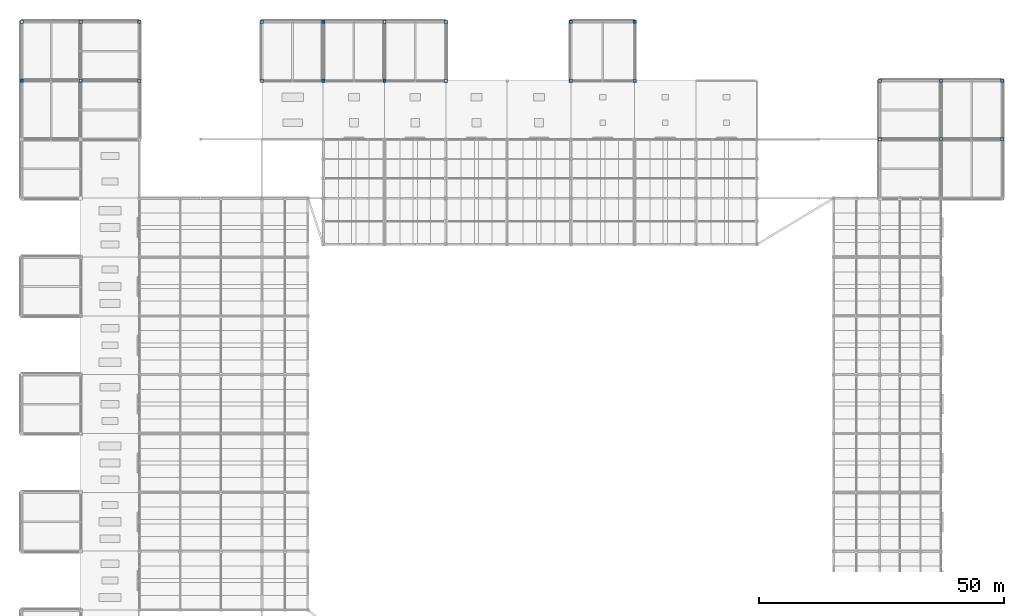
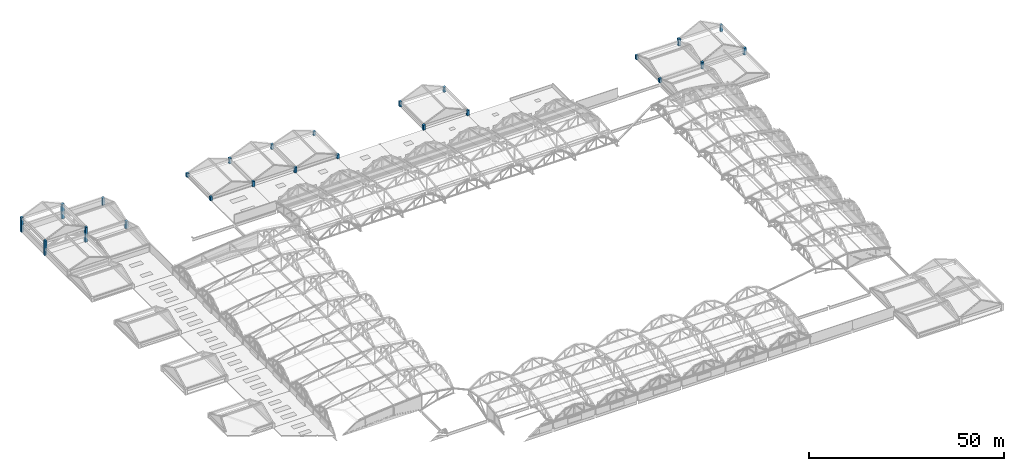
# One storey, part 2 of 117: 24 columns.
"""IFC4 building model written with IfcOpenShell, lengths in metres."""

from ifc_helpers import new_model, si_unit, direction, frame, origin, origin_2d, place, context, subcontext, project, spatial, rectangle, extrude, material, material_profile, profile_set, type_object, element, save


model = new_model("IFC4")

# Units and contexts
model_context = context("Model", 3, precision=1e-05, world=origin(), true_north=direction((0.0, 1.0)))
body_context = subcontext(model_context, "Body", "Model", "MODEL_VIEW")
ifc_project = project(units=[si_unit("LENGTHUNIT", "METRE"), si_unit("AREAUNIT", "SQUARE_METRE"), si_unit("VOLUMEUNIT", "CUBIC_METRE"), si_unit("PLANEANGLEUNIT", "RADIAN"), si_unit("MASSUNIT", "GRAM", prefix="KILO")], contexts=[model_context])

# Site, building, storey
site_placement = place(None, origin())
site = spatial("IfcSite", under=ifc_project, at=site_placement, CompositionType="ELEMENT")
building_placement = place(site_placement, origin())
building = spatial("IfcBuilding", under=site, at=building_placement, Name="Kazenohara Klinker Stadium", CompositionType="ELEMENT")
storey_placement = place(building_placement, frame((0.0, 0.0, 31.199951171875)))
storey = spatial("IfcBuildingStorey", under=building, at=storey_placement, Name="RF", CompositionType="ELEMENT", Elevation=31.199951171875)

# Columns
ifc_material = material(Name="Concrete C40/50", Category="concrete")
ifc_material_profile = material_profile(ifc_material, rectangle(XDim=0.699951171875, YDim=0.699951171875, at=origin_2d()), Name="RC-COL-700x700")
ifc_profile_set = profile_set([ifc_material_profile], Name="Concrete C40/50")
column_type = type_object("IfcColumnType", Name="COL-RC06", PredefinedType="COLUMN", material=ifc_profile_set)
for number, where, z_axis, x_axis, name in (
    (1, (0.0, 156.0, 0.0), (0.0, 0.0, 1.0), (1.0, 0.0, 0.0), "Turret crown column C06 RF 1/P"),
    (2, (12.0, 156.0, 0.0), (0.0, 0.0, 1.0), (1.0, 0.0, 0.0), "Turret crown column C06 RF 2/P"),
    (3, (0.0, 168.0, 0.0), (0.0, 0.0, 1.0), (1.0, 0.0, 0.0), "Turret crown column C06 RF 1/Q"),
    (4, (12.0, 168.0, 0.0), (0.0, 0.0, 1.0), (1.0, 0.0, 0.0), "Turret crown column C06 RF 2/Q"),
):
    element("IfcColumn", number, at=place(storey_placement, frame(where, z_axis=z_axis, x_axis=x_axis)), inside=storey, type_object=column_type, Name=name, PredefinedType="COLUMN", context=body_context, shape_type="SweptSolid", body=[
        extrude(rectangle(XDim=0.699951171875, YDim=0.699951171875, at=origin_2d()), origin(), (0.0, 0.0, 1.0), 4.60009765625),
    ])
for number, where, z_axis, x_axis, name in (
    (5, (24.0, 156.0, 0.0), (0.0, 0.0, 1.0), (1.0, 0.0, 0.0), "Turret crown column C06 RF 3/P"),
    (6, (24.0, 168.0, 0.0), (0.0, 0.0, 1.0), (1.0, 0.0, 0.0), "Turret crown column C06 RF 3/Q"),
):
    element("IfcColumn", number, at=place(storey_placement, frame(where, z_axis=z_axis, x_axis=x_axis)), inside=storey, type_object=column_type, Name=name, PredefinedType="COLUMN", context=body_context, shape_type="SweptSolid", body=[
        extrude(rectangle(XDim=0.699951171875, YDim=0.699951171875, at=origin_2d()), origin(), (0.0, 0.0, 1.0), 2.300048828125),
    ])
for number, where, z_axis, x_axis, name in (
    (7, (187.5, 144.0, 0.0), (0.0, 0.0, 1.0), (1.0, 0.0, 0.0), "Turret crown column C06 RF 16/N"),
    (8, (187.5, 156.0, 0.0), (0.0, 0.0, 1.0), (1.0, 0.0, 0.0), "Turret crown column C06 RF 16/P"),
    (9, (200.0, 144.0, 0.0), (0.0, 0.0, 1.0), (1.0, 0.0, 0.0), "Turret crown column C06 RF 17/N"),
    (10, (200.0, 156.0, 0.0), (0.0, 0.0, 1.0), (1.0, 0.0, 0.0), "Turret crown column C06 RF 17/P"),
):
    element("IfcColumn", number, at=place(storey_placement, frame(where, z_axis=z_axis, x_axis=x_axis)), inside=storey, type_object=column_type, Name=name, PredefinedType="COLUMN", context=body_context, shape_type="SweptSolid", body=[
        extrude(rectangle(XDim=0.699951171875, YDim=0.699951171875, at=origin_2d()), origin(), (0.0, 0.0, 1.0), 2.10009765625),
    ])
for number, where, z_axis, x_axis, name in (
    (11, (175.0, 144.0, 0.0), (0.0, 0.0, 1.0), (1.0, 0.0, 0.0), "Turret crown column C06 RF 15/N"),
    (12, (175.0, 156.0, 0.0), (0.0, 0.0, 1.0), (1.0, 0.0, 0.0), "Turret crown column C06 RF 15/P"),
):
    element("IfcColumn", number, at=place(storey_placement, frame(where, z_axis=z_axis, x_axis=x_axis)), inside=storey, type_object=column_type, Name=name, PredefinedType="COLUMN", context=body_context, shape_type="SweptSolid", body=[
        extrude(rectangle(XDim=0.699951171875, YDim=0.699951171875, at=origin_2d()), origin(), (0.0, 0.0, 1.0), 1.300048828125),
    ])
for number, where, z_axis, x_axis, name in (
    (13, (49.0, 156.0, 0.0), (0.0, 0.0, 1.0), (1.0, 0.0, 0.0), "Turret crown column C06 RF 5/P"),
    (14, (49.0, 168.0, 0.0), (0.0, 0.0, 1.0), (1.0, 0.0, 0.0), "Turret crown column C06 RF 5/Q"),
):
    element("IfcColumn", number, at=place(storey_placement, frame(where, z_axis=z_axis, x_axis=x_axis)), inside=storey, type_object=column_type, Name=name, PredefinedType="COLUMN", context=body_context, shape_type="SweptSolid", body=[
        extrude(rectangle(XDim=0.699951171875, YDim=0.699951171875, at=origin_2d()), origin(), (0.0, 0.0, 1.0), 1.199951171875),
    ])
for number, where, z_axis, x_axis, name in (
    (15, (61.5, 156.0, 0.0), (0.0, 0.0, 1.0), (1.0, 0.0, 0.0), "Turret crown column C06 RF 6/P"),
    (16, (61.5, 168.0, 0.0), (0.0, 0.0, 1.0), (1.0, 0.0, 0.0), "Turret crown column C06 RF 6/Q"),
    (17, (74.0, 156.0, 0.0), (0.0, 0.0, 1.0), (1.0, 0.0, 0.0), "Turret crown column C06 RF 7/P"),
    (18, (74.0, 168.0, 0.0), (0.0, 0.0, 1.0), (1.0, 0.0, 0.0), "Turret crown column C06 RF 7/Q"),
):
    element("IfcColumn", number, at=place(storey_placement, frame(where, z_axis=z_axis, x_axis=x_axis)), inside=storey, type_object=column_type, Name=name, PredefinedType="COLUMN", context=body_context, shape_type="SweptSolid", body=[
        extrude(rectangle(XDim=0.699951171875, YDim=0.699951171875, at=origin_2d()), origin(), (0.0, 0.0, 1.0), 1.60009765625),
    ])
for number, where, z_axis, x_axis, name in (
    (19, (86.5, 156.0, 0.0), (0.0, 0.0, 1.0), (1.0, 0.0, 0.0), "Turret crown column C06 RF 8/P"),
    (20, (86.5, 168.0, 0.0), (0.0, 0.0, 1.0), (1.0, 0.0, 0.0), "Turret crown column C06 RF 8/Q"),
):
    element("IfcColumn", number, at=place(storey_placement, frame(where, z_axis=z_axis, x_axis=x_axis)), inside=storey, type_object=column_type, Name=name, PredefinedType="COLUMN", context=body_context, shape_type="SweptSolid", body=[
        extrude(rectangle(XDim=0.699951171875, YDim=0.699951171875, at=origin_2d()), origin(), (0.0, 0.0, 1.0), 1.199951171875),
    ])
for number, where, z_axis, x_axis, name in (
    (21, (112.0, 156.0, 0.0), (0.0, 0.0, 1.0), (1.0, 0.0, 0.0), "Turret crown column C06 RF 10/P"),
    (22, (112.0, 168.0, 0.0), (0.0, 0.0, 1.0), (1.0, 0.0, 0.0), "Turret crown column C06 RF 10/Q"),
    (23, (125.0, 156.0, 0.0), (0.0, 0.0, 1.0), (1.0, 0.0, 0.0), "Turret crown column C06 RF 11/P"),
    (24, (125.0, 168.0, 0.0), (0.0, 0.0, 1.0), (1.0, 0.0, 0.0), "Turret crown column C06 RF 11/Q"),
):
    element("IfcColumn", number, at=place(storey_placement, frame(where, z_axis=z_axis, x_axis=x_axis)), inside=storey, type_object=column_type, Name=name, PredefinedType="COLUMN", context=body_context, shape_type="SweptSolid", body=[
        extrude(rectangle(XDim=0.699951171875, YDim=0.699951171875, at=origin_2d()), origin(), (0.0, 0.0, 1.0), 1.60009765625),
    ])

save(model, "model.ifc")
